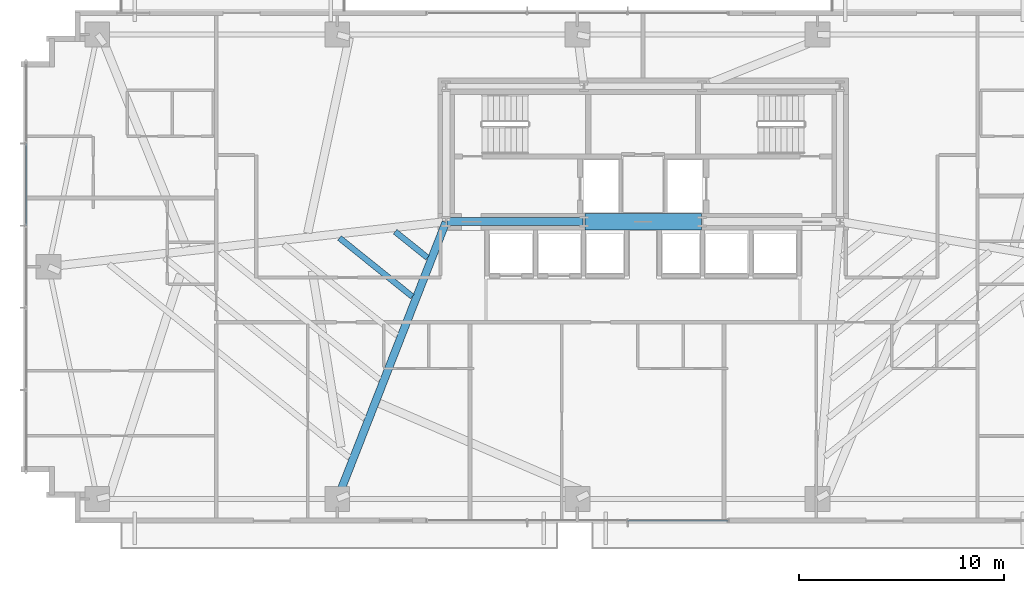
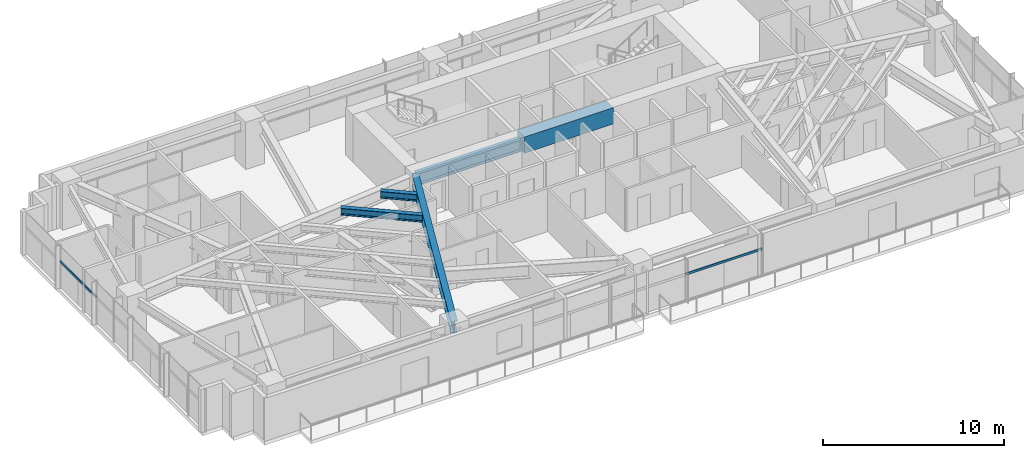
# One storey, part 7 of 25: 5 beams, 2 members, 2 elements without a shape of their own.
"""IFC4 building model written with IfcOpenShell, lengths in metres."""

from ifc_helpers import new_model, si_unit, direction, frame, origin, origin_2d, place, context, subcontext, project, spatial, rectangle, hollow_rectangle, i_section, extrude, source, transform, mapped, material, material_profile, profile_set, type_object, type_shapes, element, aggregate, save


model = new_model("IFC4")

# Units and contexts
model_context = context("Model", 3, precision=1e-05, world=origin(), true_north=direction((0.0, 1.0)))
body_context = subcontext(model_context, "Body", "Model", "MODEL_VIEW")
ifc_project = project(units=[si_unit("LENGTHUNIT", "METRE"), si_unit("AREAUNIT", "SQUARE_METRE"), si_unit("VOLUMEUNIT", "CUBIC_METRE"), si_unit("PLANEANGLEUNIT", "RADIAN"), si_unit("MASSUNIT", "GRAM", prefix="KILO")], contexts=[model_context])

# Site, building, storey
site_placement = place(None, origin())
site = spatial("IfcSite", under=ifc_project, at=site_placement, CompositionType="ELEMENT")
building_placement = place(site_placement, origin())
building = spatial("IfcBuilding", under=site, at=building_placement, Name="Astriad Promenade Condominiums", CompositionType="ELEMENT")
storey_placement = place(building_placement, frame((0.0, 0.0, 64.60009765625)))
storey = spatial("IfcBuildingStorey", under=building, at=storey_placement, Name="L18", CompositionType="ELEMENT", Elevation=64.60009765625)

# Beams
ifc_material_1 = material(Name="Steel ASTM A992 Grade 50", Category="steel")
ifc_material_profile_1 = material_profile(ifc_material_1, i_section(OverallWidth=0.3837890625, OverallDepth=0.785888671875, WebThickness=0.019775390625, FlangeThickness=0.033447265625, FilletRadius=0.021484375, at=origin_2d()), Name="W30X211")
ifc_profile_set_1 = profile_set([ifc_material_profile_1], Name="Steel ASTM A992 Grade 50")
beam_type_1 = type_object("IfcBeamType", Name="STEEL FLOOR GIRDER W30X211", PredefinedType="BEAM", material=ifc_profile_set_1)
shared_shape_1 = source(origin(), body_context, "Body", "SweptSolid", [
    extrude(i_section(OverallWidth=0.3837890625, OverallDepth=0.785888671875, WebThickness=0.019775390625, FlangeThickness=0.033447265625, FilletRadius=0.021484375, at=origin_2d()), origin(), (0.0, 0.0, 1.0), 6.64013671875),
])
beam_1_placement = place(storey_placement, frame((26.43994140625, 17.39990234375, 2.507080078125), z_axis=(1.0, 0.0, 0.0), x_axis=(0.0, 1.0, 0.0)))
element("IfcBeam", 1, at=beam_1_placement, inside=storey, type_object=beam_type_1, Name="Core Ring Beam CG-S1-L18", PredefinedType="BEAM", context=body_context, shape_type="MappedRepresentation", body=[
    mapped(shared_shape_1, transform((0.0, 0.0, 0.0), scale=1.0)),
])
ifc_material_2 = material(Name="Concrete C80/95", Category="concrete")
ifc_material_profile_2 = material_profile(ifc_material_2, rectangle(XDim=0.800048828125, YDim=1.10009765625, at=origin_2d()), Name="RC-BM-800X1100")
ifc_profile_set_2 = profile_set([ifc_material_profile_2], Name="Concrete C80/95")
beam_type_2 = type_object("IfcBeamType", Name="CONCRETE CORE COUPLING LINTEL 800X1100", PredefinedType="LINTEL", material=ifc_profile_set_2)
shared_shape_2 = source(origin(), body_context, "Body", "SweptSolid", [
    extrude(rectangle(XDim=0.800048828125, YDim=1.10009765625, at=origin_2d()), origin(), (0.0, 0.0, 1.0), 5.68017578125),
])
type_shapes(beam_type_2, [shared_shape_2])
beam_2_placement = place(storey_placement, frame((33.159912109375, 17.39990234375, 2.6298828125), z_axis=(1.0, 0.0, 0.0), x_axis=(0.0, 1.0, 0.0)))
element("IfcBeam", 2, at=beam_2_placement, inside=storey, type_object=beam_type_2, Name="Core Ring Beam CG-S2-L18", PredefinedType="LINTEL", context=body_context, shape_type="MappedRepresentation", body=[
    mapped(shared_shape_2, transform((0.0, 0.0, 0.0), scale=1.0)),
])
shared_shape_3 = source(origin(), body_context, "Body", "SweptSolid", [
    extrude(i_section(OverallWidth=0.3837890625, OverallDepth=0.785888671875, WebThickness=0.019775390625, FlangeThickness=0.033447265625, FilletRadius=0.021484375, at=origin_2d()), origin(), (0.0, 0.0, 1.0), 14.44189453125),
])
type_shapes(beam_type_1, [shared_shape_1, shared_shape_3])
beam_3_placement = place(storey_placement, frame((21.114501953125, 3.917236328125, 2.507080078125), z_axis=(0.364981228757, 0.931014877784, 0.0), x_axis=(-0.931014877784, 0.364981228757, 0.0)))
element("IfcBeam", 3, at=beam_3_placement, inside=storey, type_object=beam_type_1, Name="Primary Floor Girder PG-W2-L18", PredefinedType="BEAM", context=body_context, shape_type="MappedRepresentation", body=[
    mapped(shared_shape_3, transform((0.0, 0.0, 0.0), scale=1.0)),
])
ifc_material_profile_3 = material_profile(ifc_material_1, i_section(OverallWidth=0.283203125, OverallDepth=0.47216796875, WebThickness=0.013671875, FlangeThickness=0.022216796875, FilletRadius=0.01513671875, at=origin_2d()), Name="W18X97")
ifc_profile_set_3 = profile_set([ifc_material_profile_3], Name="Steel ASTM A992 Grade 50")
beam_type_3 = type_object("IfcBeamType", Name="STEEL FLOOR JOIST W18X97", PredefinedType="JOIST", material=ifc_profile_set_3)
shared_shape_4 = source(origin(), body_context, "Body", "SweptSolid", [
    extrude(i_section(OverallWidth=0.283203125, OverallDepth=0.47216796875, WebThickness=0.013671875, FlangeThickness=0.022216796875, FilletRadius=0.01513671875, at=origin_2d()), origin(), (0.0, 0.0, 1.0), 4.555419921875),
])
beam_4_placement = place(storey_placement, frame((21.201416015625, 16.600830078125, 2.663818359375), z_axis=(0.779365920634, -0.626569039894, 0.0), x_axis=(0.626569039894, 0.779365920634, 0.0)))
element("IfcBeam", 4, at=beam_4_placement, inside=storey, type_object=beam_type_3, Name="Secondary Composite Floor Joist JW1-5-L18", PredefinedType="JOIST", context=body_context, shape_type="MappedRepresentation", body=[
    mapped(shared_shape_4, transform((0.0, 0.0, 0.0), scale=1.0)),
])
shared_shape_5 = source(origin(), body_context, "Body", "SweptSolid", [
    extrude(i_section(OverallWidth=0.283203125, OverallDepth=0.47216796875, WebThickness=0.013671875, FlangeThickness=0.022216796875, FilletRadius=0.01513671875, at=origin_2d()), origin(), (0.0, 0.0, 1.0), 2.02587890625),
])
type_shapes(beam_type_3, [shared_shape_4, shared_shape_5])
beam_5_placement = place(storey_placement, frame((23.914794921875, 16.90869140625, 2.663818359375), z_axis=(0.779373362939, -0.626559782576, 0.0), x_axis=(0.626559782576, 0.779373362939, 0.0)))
element("IfcBeam", 5, at=beam_5_placement, inside=storey, type_object=beam_type_3, Name="Secondary Composite Floor Joist JW1-6-L18", PredefinedType="JOIST", context=body_context, shape_type="MappedRepresentation", body=[
    mapped(shared_shape_5, transform((0.0, 0.0, 0.0), scale=1.0)),
])

# Curtain wall, member
ifc_material_3 = material(Name="Anodised aluminium Black Dark Glass Unitised", Category="aluminium")
curtain_wall_type = type_object("IfcCurtainWallType", Name="CW-B1-DARK", PredefinedType="USERDEFINED", material=ifc_material_3)
curtain_wall_1_placement = place(storey_placement, origin())
curtain_wall_1 = element("IfcCurtainWall", 6, at=curtain_wall_1_placement, inside=storey, type_object=curtain_wall_type, Name="CW-L18-W", ObjectType="UNITISED_CURTAIN_WALL", PredefinedType="USERDEFINED")
ifc_material_4 = material(Name="Anodised aluminium 6063-T6 Black", Category="aluminium")
ifc_material_profile_4 = material_profile(ifc_material_4, hollow_rectangle(XDim=0.074951171875, YDim=0.14990234375, WallThickness=0.004150390625, at=origin_2d()), Name="ALU-TRN-75X150")
ifc_profile_set_4 = profile_set([ifc_material_profile_4], Name="Anodised aluminium 6063-T6 Black")
member_type = type_object("IfcMemberType", Name="TRN-ALU-TRN-75X150", PredefinedType="USERDEFINED", material=ifc_profile_set_4)
shared_shape_6 = source(origin(), body_context, "Body", "SweptSolid", [
    extrude(hollow_rectangle(XDim=0.074951171875, YDim=0.14990234375, WallThickness=0.004150390625, at=origin_2d()), origin(), (0.0, 0.0, 1.0), 4.0),
])
member_1_placement = place(storey_placement, frame((5.929931640625, 17.199951171875, 1.7978515625), z_axis=(0.0, 1.0, 0.0), x_axis=(-1.0, 0.0, 0.0)))
member_1 = element("IfcMember", 7, at=member_1_placement, type_object=member_type, Name="CW-L18-W-TRN-03-0", ObjectType="TRANSOM", PredefinedType="USERDEFINED", context=body_context, shape_type="MappedRepresentation", body=[
    mapped(shared_shape_6, transform((0.0, 0.0, 0.0), scale=1.0)),
])
aggregate(curtain_wall_1, [member_1])

curtain_wall_2_placement = place(storey_placement, origin())
curtain_wall_2 = element("IfcCurtainWall", 8, at=curtain_wall_2_placement, inside=storey, type_object=curtain_wall_type, Name="CW-L18-S", ObjectType="UNITISED_CURTAIN_WALL", PredefinedType="USERDEFINED")
shared_shape_7 = source(origin(), body_context, "Body", "SweptSolid", [
    extrude(hollow_rectangle(XDim=0.074951171875, YDim=0.14990234375, WallThickness=0.004150390625, at=origin_2d()), origin(), (0.0, 0.0, 1.0), 4.89990234375),
])
type_shapes(member_type, [shared_shape_6, shared_shape_7])
member_2_placement = place(storey_placement, frame((40.14990234375, 2.830078125, 1.7978515625), z_axis=(-1.0, 0.0, 0.0), x_axis=(0.0, -1.0, 0.0)))
member_2 = element("IfcMember", 9, at=member_2_placement, type_object=member_type, Name="CW-L18-S-TRN-00-0", ObjectType="TRANSOM", PredefinedType="USERDEFINED", context=body_context, shape_type="MappedRepresentation", body=[
    mapped(shared_shape_7, transform((0.0, 0.0, 0.0), scale=1.0)),
])
aggregate(curtain_wall_2, [member_2])

save(model, "model.ifc")
